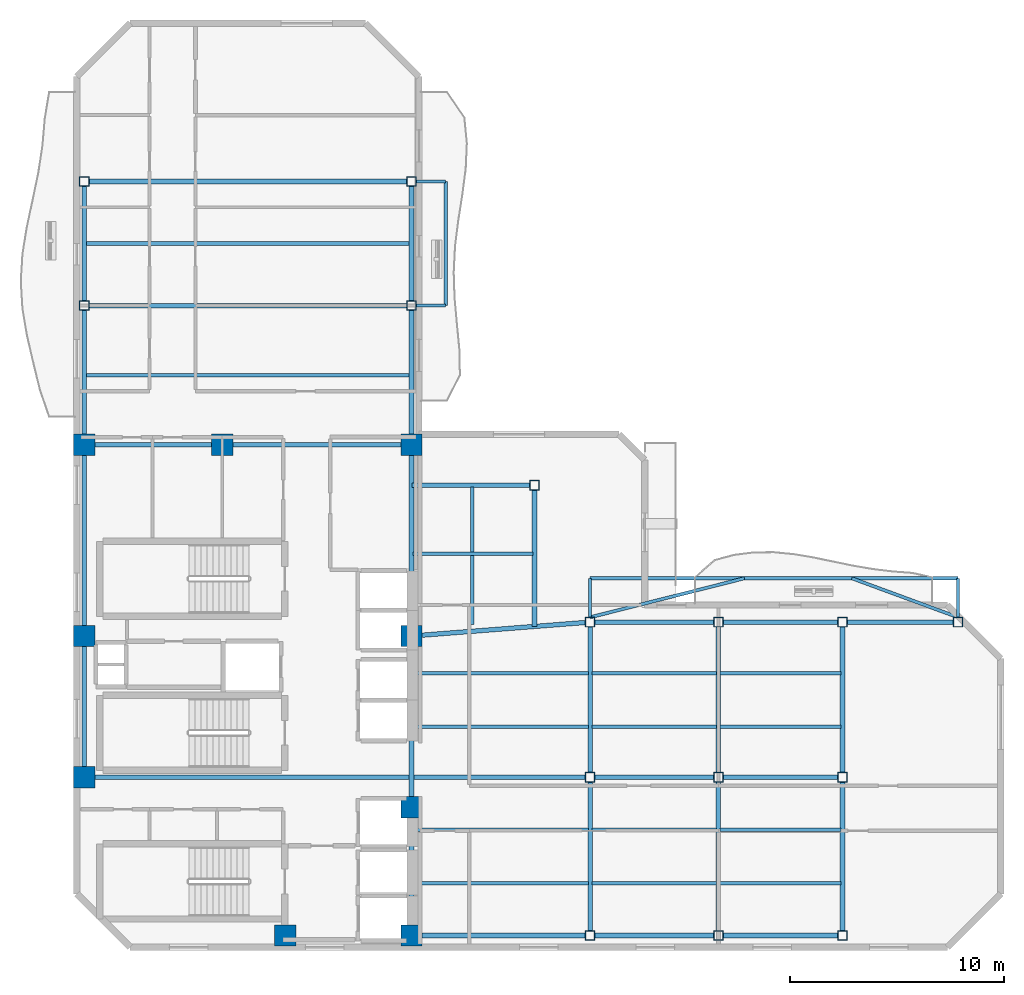
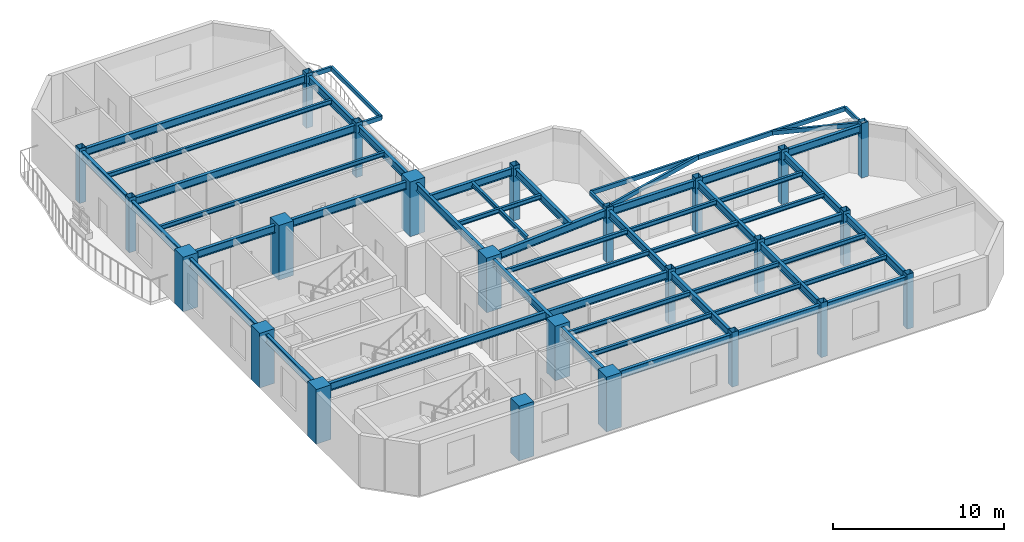
# One storey, part 1 of 8: 55 beams, 24 columns.
"""IFC4 building model written with IfcOpenShell, lengths in metres."""

from ifc_helpers import new_model, si_unit, direction, frame, origin, origin_2d, place, context, subcontext, project, spatial, rectangle, hollow_rectangle, i_section, extrude, material, material_profile, profile_set, type_object, element, save


model = new_model("IFC4")

# Units and contexts
model_context = context("Model", 3, precision=1e-05, world=origin(), true_north=direction((0.0, 1.0)))
body_context = subcontext(model_context, "Body", "Model", "MODEL_VIEW")
ifc_project = project(units=[si_unit("LENGTHUNIT", "METRE"), si_unit("AREAUNIT", "SQUARE_METRE"), si_unit("VOLUMEUNIT", "CUBIC_METRE"), si_unit("PLANEANGLEUNIT", "RADIAN"), si_unit("MASSUNIT", "GRAM", prefix="KILO")], contexts=[model_context])

# Site, building, storey
site_placement = place(None, origin())
site = spatial("IfcSite", under=ifc_project, at=site_placement, CompositionType="ELEMENT")
building_placement = place(site_placement, origin())
building = spatial("IfcBuilding", under=site, at=building_placement, Name="Mawjaban Terraces University", CompositionType="ELEMENT")
storey_placement = place(building_placement, frame((0.0, 0.0, 187.5)))
storey = spatial("IfcBuildingStorey", under=building, at=storey_placement, Name="L45", CompositionType="ELEMENT", Elevation=187.5)

# Columns
ifc_material_1 = material(Name="Concrete C60/75", Category="concrete")
ifc_material_profile_1 = material_profile(ifc_material_1, rectangle(XDim=1.0, YDim=1.0, at=origin_2d()), Name="RC1000X1000")
ifc_profile_set_1 = profile_set([ifc_material_profile_1], Name="Concrete C60/75")
column_type_1 = type_object("IfcColumnType", Name="Col_RC1000X1000", PredefinedType="COLUMN", material=ifc_profile_set_1)
for number, where, z_axis, x_axis, name in (
    (1, (31.75, 0.550048828125, 0.0), (0.0, 0.0, 1.0), (1.0, 0.0, 0.0), "L45 Column CC2"),
    (2, (37.64990234375, 0.550048828125, 0.0), (0.0, 0.0, 1.0), (1.0, 0.0, 0.0), "L45 Column CC3"),
    (3, (22.35009765625, 7.949951171875, 0.0), (0.0, 0.0, 1.0), (1.0, 0.0, 0.0), "L45 Column CC4"),
    (4, (37.64990234375, 6.550048828125, 0.0), (0.0, 0.0, 1.0), (1.0, 0.0, 0.0), "L45 Column CC5"),
    (5, (22.35009765625, 14.550048828125, 0.0), (0.0, 0.0, 1.0), (1.0, 0.0, 0.0), "L45 Column CC6"),
    (6, (37.64990234375, 14.550048828125, 0.0), (0.0, 0.0, 1.0), (1.0, 0.0, 0.0), "L45 Column CC7"),
    (7, (22.35009765625, 23.5, 0.0), (0.0, 0.0, 1.0), (1.0, 0.0, 0.0), "L45 Column CC8"),
    (8, (28.800048828125, 23.5, 0.0), (0.0, 0.0, 1.0), (1.0, 0.0, 0.0), "L45 Column CC9"),
    (9, (37.64990234375, 23.5, 0.0), (0.0, 0.0, 1.0), (1.0, 0.0, 0.0), "L45 Column CC10"),
):
    element("IfcColumn", number, at=place(storey_placement, frame(where, z_axis=z_axis, x_axis=x_axis)), inside=storey, type_object=column_type_1, Name=name, PredefinedType="COLUMN", context=body_context, shape_type="SweptSolid", body=[
        extrude(rectangle(XDim=1.0, YDim=1.0, at=origin_2d()), origin(), (0.0, 0.0, 1.0), 3.89990234375),
    ])
ifc_material_2 = material(Name="Steel EN 10210-1 S355J2H", Category="steel")
ifc_material_profile_2 = material_profile(ifc_material_2, hollow_rectangle(XDim=0.449951171875, YDim=0.449951171875, WallThickness=0.02001953125, at=origin_2d()), Name="SHS450X450X20")
ifc_profile_set_2 = profile_set([ifc_material_profile_2], Name="Steel EN 10210-1 S355J2H")
column_type_2 = type_object("IfcColumnType", Name="Col_SHS450X450X20", PredefinedType="COLUMN", material=ifc_profile_set_2)
for number, where, z_axis, x_axis, name in (
    (10, (46.0, 0.550048828125, 0.0), (0.0, 0.0, 1.0), (1.0, 0.0, 0.0), "L45 Column TE-460-005"),
    (11, (46.0, 7.949951171875, 0.0), (0.0, 0.0, 1.0), (1.0, 0.0, 0.0), "L45 Column TE-460-080"),
    (12, (46.0, 15.199951171875, 0.0), (0.0, 0.0, 1.0), (1.0, 0.0, 0.0), "L45 Column TE-460-152"),
    (13, (52.0, 0.550048828125, 0.0), (0.0, 0.0, 1.0), (1.0, 0.0, 0.0), "L45 Column TE-520-005"),
    (14, (52.0, 7.949951171875, 0.0), (0.0, 0.0, 1.0), (1.0, 0.0, 0.0), "L45 Column TE-520-080"),
    (15, (52.0, 15.199951171875, 0.0), (0.0, 0.0, 1.0), (1.0, 0.0, 0.0), "L45 Column TE-520-152"),
    (16, (57.800048828125, 0.550048828125, 0.0), (0.0, 0.0, 1.0), (1.0, 0.0, 0.0), "L45 Column TE-578-005"),
    (17, (57.800048828125, 7.949951171875, 0.0), (0.0, 0.0, 1.0), (1.0, 0.0, 0.0), "L45 Column TE-578-080"),
    (18, (57.800048828125, 15.199951171875, 0.0), (0.0, 0.0, 1.0), (1.0, 0.0, 0.0), "L45 Column TE-578-152"),
    (19, (63.199951171875, 15.199951171875, 0.0), (0.0, 0.0, 1.0), (1.0, 0.0, 0.0), "L45 Column TE-632-152"),
    (20, (22.35009765625, 30.0, 0.0), (0.0, 0.0, 1.0), (1.0, 0.0, 0.0), "L45 Column TN-223-300"),
    (21, (37.64990234375, 30.0, 0.0), (0.0, 0.0, 1.0), (1.0, 0.0, 0.0), "L45 Column TN-376-300"),
    (22, (22.35009765625, 35.800048828125, 0.0), (0.0, 0.0, 1.0), (1.0, 0.0, 0.0), "L45 Column TN-223-358"),
    (23, (37.64990234375, 35.800048828125, 0.0), (0.0, 0.0, 1.0), (1.0, 0.0, 0.0), "L45 Column TN-376-358"),
    (24, (43.39990234375, 21.60009765625, 0.0), (0.0, 0.0, 1.0), (1.0, 0.0, 0.0), "L45 Column TS-434-216"),
):
    element("IfcColumn", number, at=place(storey_placement, frame(where, z_axis=z_axis, x_axis=x_axis)), inside=storey, type_object=column_type_2, Name=name, PredefinedType="COLUMN", context=body_context, shape_type="SweptSolid", body=[
        extrude(hollow_rectangle(XDim=0.449951171875, YDim=0.449951171875, WallThickness=0.02001953125, at=origin_2d()), origin(), (0.0, 0.0, 1.0), 3.89990234375),
    ])

# Beams
ifc_material_profile_3 = material_profile(ifc_material_2, hollow_rectangle(XDim=0.14990234375, YDim=0.300048828125, WallThickness=0.012451171875, at=origin_2d()), Name="RHS300X150X12.5")
ifc_profile_set_3 = profile_set([ifc_material_profile_3], Name="Steel EN 10210-1 S355J2H")
beam_type_1 = type_object("IfcBeamType", Name="BalconyCantileverSpandrel_RHS", PredefinedType="SPANDREL", material=ifc_profile_set_3)
for number, where, z_axis, x_axis, name in (
    (25, (46.0, 15.425048828125, 3.5400390625), (0.0, 1.0, 0.0), (-1.0, 0.0, 0.0), "L45 Exterior Outrigger BAL-L46-N.1"),
    (26, (63.199951171875, 15.425048828125, 3.5400390625), (0.0, 1.0, 0.0), (-1.0, 0.0, 0.0), "L45 Exterior Outrigger BAL-L46-N.2"),
):
    element("IfcBeam", number, at=place(storey_placement, frame(where, z_axis=z_axis, x_axis=x_axis)), inside=storey, type_object=beam_type_1, Name=name, PredefinedType="SPANDREL", context=body_context, shape_type="SweptSolid", body=[
        extrude(hollow_rectangle(XDim=0.14990234375, YDim=0.300048828125, WallThickness=0.012451171875, at=origin_2d()), origin(), (0.0, 0.0, 1.0), 1.824951171875),
    ])
beam_1_placement = place(storey_placement, frame((46.0, 17.25, 3.5400390625), z_axis=(1.0, 0.0, 0.0), x_axis=(0.0, 1.0, 0.0)))
element("IfcBeam", 27, at=beam_1_placement, inside=storey, type_object=beam_type_1, Name="L45 Exterior Edge Spandrel BAL-L46-N", PredefinedType="SPANDREL", context=body_context, shape_type="SweptSolid", body=[
    extrude(hollow_rectangle(XDim=0.14990234375, YDim=0.300048828125, WallThickness=0.012451171875, at=origin_2d()), origin(), (0.0, 0.0, 1.0), 17.199951171875),
])
beam_2_placement = place(storey_placement, frame((46.0, 15.425048828125, 3.5400390625), z_axis=(0.969469206646, 0.245213085632, 0.0), x_axis=(-0.245213085632, 0.969469206646, 0.0)))
element("IfcBeam", 28, at=beam_2_placement, inside=storey, type_object=beam_type_1, Name="L45 Exterior Diagonal Strut BAL-L46-N.1", PredefinedType="SPANDREL", context=body_context, shape_type="SweptSolid", body=[
    extrude(hollow_rectangle(XDim=0.14990234375, YDim=0.300048828125, WallThickness=0.012451171875, at=origin_2d()), origin(), (0.0, 0.0, 1.0), 7.4423828125),
])
beam_3_placement = place(storey_placement, frame((63.199951171875, 15.425048828125, 3.5400390625), z_axis=(-0.938600534074, 0.345005851308, 0.0), x_axis=(-0.345005851308, -0.938600534074, 0.0)))
element("IfcBeam", 29, at=beam_3_placement, inside=storey, type_object=beam_type_1, Name="L45 Exterior Diagonal Strut BAL-L46-N.2", PredefinedType="SPANDREL", context=body_context, shape_type="SweptSolid", body=[
    extrude(hollow_rectangle(XDim=0.14990234375, YDim=0.300048828125, WallThickness=0.012451171875, at=origin_2d()), origin(), (0.0, 0.0, 1.0), 5.28955078125),
])
for number, where, z_axis, x_axis, name in (
    (30, (37.875, 30.0, 3.5400390625), (1.0, 0.0, 0.0), (0.0, 1.0, 0.0), "L45 Exterior Outrigger BAL-L46-E.1"),
    (31, (37.875, 35.800048828125, 3.5400390625), (1.0, 0.0, 0.0), (0.0, 1.0, 0.0), "L45 Exterior Outrigger BAL-L46-E.2"),
):
    element("IfcBeam", number, at=place(storey_placement, frame(where, z_axis=z_axis, x_axis=x_axis)), inside=storey, type_object=beam_type_1, Name=name, PredefinedType="SPANDREL", context=body_context, shape_type="SweptSolid", body=[
        extrude(hollow_rectangle(XDim=0.14990234375, YDim=0.300048828125, WallThickness=0.012451171875, at=origin_2d()), origin(), (0.0, 0.0, 1.0), 1.375),
    ])
beam_4_placement = place(storey_placement, frame((39.25, 30.0, 3.5400390625), z_axis=(0.0, 1.0, 0.0), x_axis=(-1.0, 0.0, 0.0)))
element("IfcBeam", 32, at=beam_4_placement, inside=storey, type_object=beam_type_1, Name="L45 Exterior Edge Spandrel BAL-L46-E", PredefinedType="SPANDREL", context=body_context, shape_type="SweptSolid", body=[
    extrude(hollow_rectangle(XDim=0.14990234375, YDim=0.300048828125, WallThickness=0.012451171875, at=origin_2d()), origin(), (0.0, 0.0, 1.0), 5.800048828125),
])
ifc_material_3 = material(Name="Steel ASTM A572 Grade 50", Category="steel")
ifc_material_profile_4 = material_profile(ifc_material_3, i_section(OverallWidth=0.2119140625, OverallDepth=0.5439453125, WebThickness=0.01318359375, FlangeThickness=0.021240234375, at=origin_2d()), Name="W530X123")
ifc_profile_set_4 = profile_set([ifc_material_profile_4], Name="Steel ASTM A572 Grade 50")
beam_type_2 = type_object("IfcBeamType", Name="Beam_B_W530X123", PredefinedType="BEAM", material=ifc_profile_set_4)
beam_5_placement = place(storey_placement, frame((38.14990234375, 0.550048828125, 3.41796875), z_axis=(1.0, 0.0, 0.0), x_axis=(0.0, 1.0, 0.0)))
element("IfcBeam", 33, at=beam_5_placement, inside=storey, type_object=beam_type_2, Name="L45 Beam BM-L45-EW-01", PredefinedType="BEAM", context=body_context, shape_type="SweptSolid", body=[
    extrude(i_section(OverallWidth=0.2119140625, OverallDepth=0.5439453125, WebThickness=0.01318359375, FlangeThickness=0.021240234375, at=origin_2d()), origin(), (0.0, 0.0, 1.0), 7.625),
])
beam_6_placement = place(storey_placement, frame((46.22509765625, 0.550048828125, 3.41796875), z_axis=(1.0, 0.0, 0.0), x_axis=(0.0, 1.0, 0.0)))
element("IfcBeam", 34, at=beam_6_placement, inside=storey, type_object=beam_type_2, Name="L45 Beam BM-L45-EW-02", PredefinedType="BEAM", context=body_context, shape_type="SweptSolid", body=[
    extrude(i_section(OverallWidth=0.2119140625, OverallDepth=0.5439453125, WebThickness=0.01318359375, FlangeThickness=0.021240234375, at=origin_2d()), origin(), (0.0, 0.0, 1.0), 5.5498046875),
])
beam_7_placement = place(storey_placement, frame((52.22509765625, 0.550048828125, 3.41796875), z_axis=(1.0, 0.0, 0.0), x_axis=(0.0, 1.0, 0.0)))
element("IfcBeam", 35, at=beam_7_placement, inside=storey, type_object=beam_type_2, Name="L45 Beam BM-L45-EW-03", PredefinedType="BEAM", context=body_context, shape_type="SweptSolid", body=[
    extrude(i_section(OverallWidth=0.2119140625, OverallDepth=0.5439453125, WebThickness=0.01318359375, FlangeThickness=0.021240234375, at=origin_2d()), origin(), (0.0, 0.0, 1.0), 5.349853515625),
])
beam_8_placement = place(storey_placement, frame((22.85009765625, 7.949951171875, 3.41796875), z_axis=(1.0, 0.0, 0.0), x_axis=(0.0, 1.0, 0.0)))
element("IfcBeam", 36, at=beam_8_placement, inside=storey, type_object=beam_type_2, Name="L45 Beam BM-L45-EW-04", PredefinedType="BEAM", context=body_context, shape_type="SweptSolid", body=[
    extrude(i_section(OverallWidth=0.2119140625, OverallDepth=0.5439453125, WebThickness=0.01318359375, FlangeThickness=0.021240234375, at=origin_2d()), origin(), (0.0, 0.0, 1.0), 22.9248046875),
])
beam_9_placement = place(storey_placement, frame((46.22509765625, 7.949951171875, 3.41796875), z_axis=(1.0, 0.0, 0.0), x_axis=(0.0, 1.0, 0.0)))
element("IfcBeam", 37, at=beam_9_placement, inside=storey, type_object=beam_type_2, Name="L45 Beam BM-L45-EW-05", PredefinedType="BEAM", context=body_context, shape_type="SweptSolid", body=[
    extrude(i_section(OverallWidth=0.2119140625, OverallDepth=0.5439453125, WebThickness=0.01318359375, FlangeThickness=0.021240234375, at=origin_2d()), origin(), (0.0, 0.0, 1.0), 5.5498046875),
])
beam_10_placement = place(storey_placement, frame((52.22509765625, 7.949951171875, 3.41796875), z_axis=(1.0, 0.0, 0.0), x_axis=(0.0, 1.0, 0.0)))
element("IfcBeam", 38, at=beam_10_placement, inside=storey, type_object=beam_type_2, Name="L45 Beam BM-L45-EW-06", PredefinedType="BEAM", context=body_context, shape_type="SweptSolid", body=[
    extrude(i_section(OverallWidth=0.2119140625, OverallDepth=0.5439453125, WebThickness=0.01318359375, FlangeThickness=0.021240234375, at=origin_2d()), origin(), (0.0, 0.0, 1.0), 5.349853515625),
])
beam_11_placement = place(storey_placement, frame((46.22509765625, 15.199951171875, 3.41796875), z_axis=(1.0, 0.0, 0.0), x_axis=(0.0, 1.0, 0.0)))
element("IfcBeam", 39, at=beam_11_placement, inside=storey, type_object=beam_type_2, Name="L45 Beam BM-L45-EW-07", PredefinedType="BEAM", context=body_context, shape_type="SweptSolid", body=[
    extrude(i_section(OverallWidth=0.2119140625, OverallDepth=0.5439453125, WebThickness=0.01318359375, FlangeThickness=0.021240234375, at=origin_2d()), origin(), (0.0, 0.0, 1.0), 5.5498046875),
])
beam_12_placement = place(storey_placement, frame((52.22509765625, 15.199951171875, 3.41796875), z_axis=(1.0, 0.0, 0.0), x_axis=(0.0, 1.0, 0.0)))
element("IfcBeam", 40, at=beam_12_placement, inside=storey, type_object=beam_type_2, Name="L45 Beam BM-L45-EW-08", PredefinedType="BEAM", context=body_context, shape_type="SweptSolid", body=[
    extrude(i_section(OverallWidth=0.2119140625, OverallDepth=0.5439453125, WebThickness=0.01318359375, FlangeThickness=0.021240234375, at=origin_2d()), origin(), (0.0, 0.0, 1.0), 5.349853515625),
])
beam_13_placement = place(storey_placement, frame((58.02490234375, 15.199951171875, 3.41796875), z_axis=(1.0, 0.0, 0.0), x_axis=(0.0, 1.0, 0.0)))
element("IfcBeam", 41, at=beam_13_placement, inside=storey, type_object=beam_type_2, Name="L45 Beam BM-L45-EW-09", PredefinedType="BEAM", context=body_context, shape_type="SweptSolid", body=[
    extrude(i_section(OverallWidth=0.2119140625, OverallDepth=0.5439453125, WebThickness=0.01318359375, FlangeThickness=0.021240234375, at=origin_2d()), origin(), (0.0, 0.0, 1.0), 4.9501953125),
])
beam_14_placement = place(storey_placement, frame((22.85009765625, 23.5, 3.41796875), z_axis=(1.0, 0.0, 0.0), x_axis=(0.0, 1.0, 0.0)))
element("IfcBeam", 42, at=beam_14_placement, inside=storey, type_object=beam_type_2, Name="L45 Beam BM-L45-EW-10", PredefinedType="BEAM", context=body_context, shape_type="SweptSolid", body=[
    extrude(i_section(OverallWidth=0.2119140625, OverallDepth=0.5439453125, WebThickness=0.01318359375, FlangeThickness=0.021240234375, at=origin_2d()), origin(), (0.0, 0.0, 1.0), 5.449951171875),
])
beam_15_placement = place(storey_placement, frame((29.300048828125, 23.5, 3.41796875), z_axis=(1.0, 0.0, 0.0), x_axis=(0.0, 1.0, 0.0)))
element("IfcBeam", 43, at=beam_15_placement, inside=storey, type_object=beam_type_2, Name="L45 Beam BM-L45-EW-11", PredefinedType="BEAM", context=body_context, shape_type="SweptSolid", body=[
    extrude(i_section(OverallWidth=0.2119140625, OverallDepth=0.5439453125, WebThickness=0.01318359375, FlangeThickness=0.021240234375, at=origin_2d()), origin(), (0.0, 0.0, 1.0), 7.849853515625),
])
for number, where, z_axis, x_axis, name in (
    (44, (22.574951171875, 30.0, 3.41796875), (1.0, 0.0, 0.0), (0.0, 1.0, 0.0), "L45 Beam BM-L45-EW-12"),
    (45, (22.574951171875, 35.800048828125, 3.41796875), (1.0, 0.0, 0.0), (0.0, 1.0, 0.0), "L45 Beam BM-L45-EW-13"),
):
    element("IfcBeam", number, at=place(storey_placement, frame(where, z_axis=z_axis, x_axis=x_axis)), inside=storey, type_object=beam_type_2, Name=name, PredefinedType="BEAM", context=body_context, shape_type="SweptSolid", body=[
        extrude(i_section(OverallWidth=0.2119140625, OverallDepth=0.5439453125, WebThickness=0.01318359375, FlangeThickness=0.021240234375, at=origin_2d()), origin(), (0.0, 0.0, 1.0), 14.85009765625),
    ])
beam_16_placement = place(storey_placement, frame((22.35009765625, 8.449951171875, 3.41796875), z_axis=(0.0, 1.0, 0.0), x_axis=(-1.0, 0.0, 0.0)))
element("IfcBeam", 46, at=beam_16_placement, inside=storey, type_object=beam_type_2, Name="L45 Beam BM-L45-NS-01", PredefinedType="BEAM", context=body_context, shape_type="SweptSolid", body=[
    extrude(i_section(OverallWidth=0.2119140625, OverallDepth=0.5439453125, WebThickness=0.01318359375, FlangeThickness=0.021240234375, at=origin_2d()), origin(), (0.0, 0.0, 1.0), 5.60009765625),
])
beam_17_placement = place(storey_placement, frame((22.35009765625, 15.050048828125, 3.41796875), z_axis=(0.0, 1.0, 0.0), x_axis=(-1.0, 0.0, 0.0)))
element("IfcBeam", 47, at=beam_17_placement, inside=storey, type_object=beam_type_2, Name="L45 Beam BM-L45-NS-02", PredefinedType="BEAM", context=body_context, shape_type="SweptSolid", body=[
    extrude(i_section(OverallWidth=0.2119140625, OverallDepth=0.5439453125, WebThickness=0.01318359375, FlangeThickness=0.021240234375, at=origin_2d()), origin(), (0.0, 0.0, 1.0), 7.949951171875),
])
beam_18_placement = place(storey_placement, frame((22.35009765625, 24.0, 3.41796875), z_axis=(0.0, 1.0, 0.0), x_axis=(-1.0, 0.0, 0.0)))
element("IfcBeam", 48, at=beam_18_placement, inside=storey, type_object=beam_type_2, Name="L45 Beam BM-L45-NS-03", PredefinedType="BEAM", context=body_context, shape_type="SweptSolid", body=[
    extrude(i_section(OverallWidth=0.2119140625, OverallDepth=0.5439453125, WebThickness=0.01318359375, FlangeThickness=0.021240234375, at=origin_2d()), origin(), (0.0, 0.0, 1.0), 5.77490234375),
])
beam_19_placement = place(storey_placement, frame((22.35009765625, 30.22509765625, 3.41796875), z_axis=(0.0, 1.0, 0.0), x_axis=(-1.0, 0.0, 0.0)))
element("IfcBeam", 49, at=beam_19_placement, inside=storey, type_object=beam_type_2, Name="L45 Beam BM-L45-NS-04", PredefinedType="BEAM", context=body_context, shape_type="SweptSolid", body=[
    extrude(i_section(OverallWidth=0.2119140625, OverallDepth=0.5439453125, WebThickness=0.01318359375, FlangeThickness=0.021240234375, at=origin_2d()), origin(), (0.0, 0.0, 1.0), 5.349853515625),
])
beam_20_placement = place(storey_placement, frame((37.64990234375, 1.050048828125, 3.41796875), z_axis=(0.0, 1.0, 0.0), x_axis=(-1.0, 0.0, 0.0)))
element("IfcBeam", 50, at=beam_20_placement, inside=storey, type_object=beam_type_2, Name="L45 Beam BM-L45-NS-05", PredefinedType="BEAM", context=body_context, shape_type="SweptSolid", body=[
    extrude(i_section(OverallWidth=0.2119140625, OverallDepth=0.5439453125, WebThickness=0.01318359375, FlangeThickness=0.021240234375, at=origin_2d()), origin(), (0.0, 0.0, 1.0), 5.0),
])
beam_21_placement = place(storey_placement, frame((37.64990234375, 7.050048828125, 3.41796875), z_axis=(0.0, 1.0, 0.0), x_axis=(-1.0, 0.0, 0.0)))
element("IfcBeam", 51, at=beam_21_placement, inside=storey, type_object=beam_type_2, Name="L45 Beam BM-L45-NS-06", PredefinedType="BEAM", context=body_context, shape_type="SweptSolid", body=[
    extrude(i_section(OverallWidth=0.2119140625, OverallDepth=0.5439453125, WebThickness=0.01318359375, FlangeThickness=0.021240234375, at=origin_2d()), origin(), (0.0, 0.0, 1.0), 7.0),
])
beam_22_placement = place(storey_placement, frame((37.64990234375, 15.050048828125, 3.41796875), z_axis=(0.0, 1.0, 0.0), x_axis=(-1.0, 0.0, 0.0)))
element("IfcBeam", 52, at=beam_22_placement, inside=storey, type_object=beam_type_2, Name="L45 Beam BM-L45-NS-07", PredefinedType="BEAM", context=body_context, shape_type="SweptSolid", body=[
    extrude(i_section(OverallWidth=0.2119140625, OverallDepth=0.5439453125, WebThickness=0.01318359375, FlangeThickness=0.021240234375, at=origin_2d()), origin(), (0.0, 0.0, 1.0), 7.949951171875),
])
beam_23_placement = place(storey_placement, frame((37.64990234375, 24.0, 3.41796875), z_axis=(0.0, 1.0, 0.0), x_axis=(-1.0, 0.0, 0.0)))
element("IfcBeam", 53, at=beam_23_placement, inside=storey, type_object=beam_type_2, Name="L45 Beam BM-L45-NS-08", PredefinedType="BEAM", context=body_context, shape_type="SweptSolid", body=[
    extrude(i_section(OverallWidth=0.2119140625, OverallDepth=0.5439453125, WebThickness=0.01318359375, FlangeThickness=0.021240234375, at=origin_2d()), origin(), (0.0, 0.0, 1.0), 5.77490234375),
])
beam_24_placement = place(storey_placement, frame((37.64990234375, 30.22509765625, 3.41796875), z_axis=(0.0, 1.0, 0.0), x_axis=(-1.0, 0.0, 0.0)))
element("IfcBeam", 54, at=beam_24_placement, inside=storey, type_object=beam_type_2, Name="L45 Beam BM-L45-NS-09", PredefinedType="BEAM", context=body_context, shape_type="SweptSolid", body=[
    extrude(i_section(OverallWidth=0.2119140625, OverallDepth=0.5439453125, WebThickness=0.01318359375, FlangeThickness=0.021240234375, at=origin_2d()), origin(), (0.0, 0.0, 1.0), 5.349853515625),
])
beam_25_placement = place(storey_placement, frame((46.0, 0.77490234375, 3.41796875), z_axis=(0.0, 1.0, 0.0), x_axis=(-1.0, 0.0, 0.0)))
element("IfcBeam", 55, at=beam_25_placement, inside=storey, type_object=beam_type_2, Name="L45 Beam BM-L45-NS-10", PredefinedType="BEAM", context=body_context, shape_type="SweptSolid", body=[
    extrude(i_section(OverallWidth=0.2119140625, OverallDepth=0.5439453125, WebThickness=0.01318359375, FlangeThickness=0.021240234375, at=origin_2d()), origin(), (0.0, 0.0, 1.0), 6.9501953125),
])
beam_26_placement = place(storey_placement, frame((46.0, 8.175048828125, 3.41796875), z_axis=(0.0, 1.0, 0.0), x_axis=(-1.0, 0.0, 0.0)))
element("IfcBeam", 56, at=beam_26_placement, inside=storey, type_object=beam_type_2, Name="L45 Beam BM-L45-NS-11", PredefinedType="BEAM", context=body_context, shape_type="SweptSolid", body=[
    extrude(i_section(OverallWidth=0.2119140625, OverallDepth=0.5439453125, WebThickness=0.01318359375, FlangeThickness=0.021240234375, at=origin_2d()), origin(), (0.0, 0.0, 1.0), 6.800048828125),
])
beam_27_placement = place(storey_placement, frame((52.0, 0.77490234375, 3.41796875), z_axis=(0.0, 1.0, 0.0), x_axis=(-1.0, 0.0, 0.0)))
element("IfcBeam", 57, at=beam_27_placement, inside=storey, type_object=beam_type_2, Name="L45 Beam BM-L45-NS-12", PredefinedType="BEAM", context=body_context, shape_type="SweptSolid", body=[
    extrude(i_section(OverallWidth=0.2119140625, OverallDepth=0.5439453125, WebThickness=0.01318359375, FlangeThickness=0.021240234375, at=origin_2d()), origin(), (0.0, 0.0, 1.0), 6.9501953125),
])
beam_28_placement = place(storey_placement, frame((52.0, 8.175048828125, 3.41796875), z_axis=(0.0, 1.0, 0.0), x_axis=(-1.0, 0.0, 0.0)))
element("IfcBeam", 58, at=beam_28_placement, inside=storey, type_object=beam_type_2, Name="L45 Beam BM-L45-NS-13", PredefinedType="BEAM", context=body_context, shape_type="SweptSolid", body=[
    extrude(i_section(OverallWidth=0.2119140625, OverallDepth=0.5439453125, WebThickness=0.01318359375, FlangeThickness=0.021240234375, at=origin_2d()), origin(), (0.0, 0.0, 1.0), 6.800048828125),
])
beam_29_placement = place(storey_placement, frame((57.800048828125, 0.77490234375, 3.41796875), z_axis=(0.0, 1.0, 0.0), x_axis=(-1.0, 0.0, 0.0)))
element("IfcBeam", 59, at=beam_29_placement, inside=storey, type_object=beam_type_2, Name="L45 Beam BM-L45-NS-14", PredefinedType="BEAM", context=body_context, shape_type="SweptSolid", body=[
    extrude(i_section(OverallWidth=0.2119140625, OverallDepth=0.5439453125, WebThickness=0.01318359375, FlangeThickness=0.021240234375, at=origin_2d()), origin(), (0.0, 0.0, 1.0), 6.9501953125),
])
beam_30_placement = place(storey_placement, frame((57.800048828125, 8.175048828125, 3.41796875), z_axis=(0.0, 1.0, 0.0), x_axis=(-1.0, 0.0, 0.0)))
element("IfcBeam", 60, at=beam_30_placement, inside=storey, type_object=beam_type_2, Name="L45 Beam BM-L45-NS-15", PredefinedType="BEAM", context=body_context, shape_type="SweptSolid", body=[
    extrude(i_section(OverallWidth=0.2119140625, OverallDepth=0.5439453125, WebThickness=0.01318359375, FlangeThickness=0.021240234375, at=origin_2d()), origin(), (0.0, 0.0, 1.0), 6.800048828125),
])
beam_31_placement = place(storey_placement, frame((38.14794921875, 14.589111328125, 3.41796875), z_axis=(0.99698177718, 0.077635919341, 0.0), x_axis=(-0.077635919341, 0.99698177718, 0.0)))
element("IfcBeam", 61, at=beam_31_placement, inside=storey, type_object=beam_type_2, Name="L45 Beam BM-L45-CTIE", PredefinedType="BEAM", context=body_context, shape_type="SweptSolid", body=[
    extrude(i_section(OverallWidth=0.2119140625, OverallDepth=0.5439453125, WebThickness=0.01318359375, FlangeThickness=0.021240234375, at=origin_2d()), origin(), (0.0, 0.0, 1.0), 7.651123046875),
])
beam_32_placement = place(storey_placement, frame((37.679931640625, 21.60009765625, 3.41796875), z_axis=(1.0, 0.0, 0.0), x_axis=(0.0, 1.0, 0.0)))
element("IfcBeam", 62, at=beam_32_placement, inside=storey, type_object=beam_type_2, Name="L45 Spur Tie Girder West", PredefinedType="BEAM", context=body_context, shape_type="SweptSolid", body=[
    extrude(i_section(OverallWidth=0.2119140625, OverallDepth=0.5439453125, WebThickness=0.01318359375, FlangeThickness=0.021240234375, at=origin_2d()), origin(), (0.0, 0.0, 1.0), 5.4951171875),
])
beam_33_placement = place(storey_placement, frame((43.39990234375, 15.0, 3.41796875), z_axis=(0.0, 1.0, 0.0), x_axis=(-1.0, 0.0, 0.0)))
element("IfcBeam", 63, at=beam_33_placement, inside=storey, type_object=beam_type_2, Name="L45 Spur Tie Girder South", PredefinedType="BEAM", context=body_context, shape_type="SweptSolid", body=[
    extrude(i_section(OverallWidth=0.2119140625, OverallDepth=0.5439453125, WebThickness=0.01318359375, FlangeThickness=0.021240234375, at=origin_2d()), origin(), (0.0, 0.0, 1.0), 6.375),
])
ifc_material_profile_5 = material_profile(ifc_material_3, i_section(OverallWidth=0.1669921875, OverallDepth=0.318115234375, WebThickness=0.007568359375, FlangeThickness=0.01318359375, at=origin_2d()), Name="W310X52")
ifc_profile_set_5 = profile_set([ifc_material_profile_5], Name="Steel ASTM A572 Grade 50")
beam_type_3 = type_object("IfcBeamType", Name="Beam_J_W310X52", PredefinedType="JOIST", material=ifc_profile_set_5)
beam_34_placement = place(storey_placement, frame((37.72998046875, 3.0, 3.531005859375), z_axis=(1.0, 0.0, 0.0), x_axis=(0.0, 1.0, 0.0)))
element("IfcBeam", 64, at=beam_34_placement, inside=storey, type_object=beam_type_3, Name="L45 Composite Joist JST-L45-01", PredefinedType="JOIST", context=body_context, shape_type="SweptSolid", body=[
    extrude(i_section(OverallWidth=0.1669921875, OverallDepth=0.318115234375, WebThickness=0.007568359375, FlangeThickness=0.01318359375, at=origin_2d()), origin(), (0.0, 0.0, 1.0), 8.18994140625),
])
beam_35_placement = place(storey_placement, frame((46.080078125, 3.0, 3.531005859375), z_axis=(1.0, 0.0, 0.0), x_axis=(0.0, 1.0, 0.0)))
element("IfcBeam", 65, at=beam_35_placement, inside=storey, type_object=beam_type_3, Name="L45 Composite Joist JST-L45-02", PredefinedType="JOIST", context=body_context, shape_type="SweptSolid", body=[
    extrude(i_section(OverallWidth=0.1669921875, OverallDepth=0.318115234375, WebThickness=0.007568359375, FlangeThickness=0.01318359375, at=origin_2d()), origin(), (0.0, 0.0, 1.0), 5.83984375),
])
beam_36_placement = place(storey_placement, frame((52.080078125, 3.0, 3.531005859375), z_axis=(1.0, 0.0, 0.0), x_axis=(0.0, 1.0, 0.0)))
element("IfcBeam", 66, at=beam_36_placement, inside=storey, type_object=beam_type_3, Name="L45 Composite Joist JST-L45-03", PredefinedType="JOIST", context=body_context, shape_type="SweptSolid", body=[
    extrude(i_section(OverallWidth=0.1669921875, OverallDepth=0.318115234375, WebThickness=0.007568359375, FlangeThickness=0.01318359375, at=origin_2d()), origin(), (0.0, 0.0, 1.0), 5.639892578125),
])
beam_37_placement = place(storey_placement, frame((37.72998046875, 5.5, 3.531005859375), z_axis=(1.0, 0.0, 0.0), x_axis=(0.0, 1.0, 0.0)))
element("IfcBeam", 67, at=beam_37_placement, inside=storey, type_object=beam_type_3, Name="L45 Composite Joist JST-L45-04", PredefinedType="JOIST", context=body_context, shape_type="SweptSolid", body=[
    extrude(i_section(OverallWidth=0.1669921875, OverallDepth=0.318115234375, WebThickness=0.007568359375, FlangeThickness=0.01318359375, at=origin_2d()), origin(), (0.0, 0.0, 1.0), 8.18994140625),
])
beam_38_placement = place(storey_placement, frame((46.080078125, 5.5, 3.531005859375), z_axis=(1.0, 0.0, 0.0), x_axis=(0.0, 1.0, 0.0)))
element("IfcBeam", 68, at=beam_38_placement, inside=storey, type_object=beam_type_3, Name="L45 Composite Joist JST-L45-05", PredefinedType="JOIST", context=body_context, shape_type="SweptSolid", body=[
    extrude(i_section(OverallWidth=0.1669921875, OverallDepth=0.318115234375, WebThickness=0.007568359375, FlangeThickness=0.01318359375, at=origin_2d()), origin(), (0.0, 0.0, 1.0), 5.83984375),
])
beam_39_placement = place(storey_placement, frame((52.080078125, 5.5, 3.531005859375), z_axis=(1.0, 0.0, 0.0), x_axis=(0.0, 1.0, 0.0)))
element("IfcBeam", 69, at=beam_39_placement, inside=storey, type_object=beam_type_3, Name="L45 Composite Joist JST-L45-06", PredefinedType="JOIST", context=body_context, shape_type="SweptSolid", body=[
    extrude(i_section(OverallWidth=0.1669921875, OverallDepth=0.318115234375, WebThickness=0.007568359375, FlangeThickness=0.01318359375, at=origin_2d()), origin(), (0.0, 0.0, 1.0), 5.639892578125),
])
beam_40_placement = place(storey_placement, frame((37.72998046875, 10.300048828125, 3.531005859375), z_axis=(1.0, 0.0, 0.0), x_axis=(0.0, 1.0, 0.0)))
element("IfcBeam", 70, at=beam_40_placement, inside=storey, type_object=beam_type_3, Name="L45 Composite Joist JST-L45-07", PredefinedType="JOIST", context=body_context, shape_type="SweptSolid", body=[
    extrude(i_section(OverallWidth=0.1669921875, OverallDepth=0.318115234375, WebThickness=0.007568359375, FlangeThickness=0.01318359375, at=origin_2d()), origin(), (0.0, 0.0, 1.0), 8.18994140625),
])
beam_41_placement = place(storey_placement, frame((46.080078125, 10.300048828125, 3.531005859375), z_axis=(1.0, 0.0, 0.0), x_axis=(0.0, 1.0, 0.0)))
element("IfcBeam", 71, at=beam_41_placement, inside=storey, type_object=beam_type_3, Name="L45 Composite Joist JST-L45-08", PredefinedType="JOIST", context=body_context, shape_type="SweptSolid", body=[
    extrude(i_section(OverallWidth=0.1669921875, OverallDepth=0.318115234375, WebThickness=0.007568359375, FlangeThickness=0.01318359375, at=origin_2d()), origin(), (0.0, 0.0, 1.0), 5.83984375),
])
beam_42_placement = place(storey_placement, frame((52.080078125, 10.300048828125, 3.531005859375), z_axis=(1.0, 0.0, 0.0), x_axis=(0.0, 1.0, 0.0)))
element("IfcBeam", 72, at=beam_42_placement, inside=storey, type_object=beam_type_3, Name="L45 Composite Joist JST-L45-09", PredefinedType="JOIST", context=body_context, shape_type="SweptSolid", body=[
    extrude(i_section(OverallWidth=0.1669921875, OverallDepth=0.318115234375, WebThickness=0.007568359375, FlangeThickness=0.01318359375, at=origin_2d()), origin(), (0.0, 0.0, 1.0), 5.639892578125),
])
beam_43_placement = place(storey_placement, frame((37.72998046875, 12.800048828125, 3.531005859375), z_axis=(1.0, 0.0, 0.0), x_axis=(0.0, 1.0, 0.0)))
element("IfcBeam", 73, at=beam_43_placement, inside=storey, type_object=beam_type_3, Name="L45 Composite Joist JST-L45-10", PredefinedType="JOIST", context=body_context, shape_type="SweptSolid", body=[
    extrude(i_section(OverallWidth=0.1669921875, OverallDepth=0.318115234375, WebThickness=0.007568359375, FlangeThickness=0.01318359375, at=origin_2d()), origin(), (0.0, 0.0, 1.0), 8.18994140625),
])
beam_44_placement = place(storey_placement, frame((46.080078125, 12.800048828125, 3.531005859375), z_axis=(1.0, 0.0, 0.0), x_axis=(0.0, 1.0, 0.0)))
element("IfcBeam", 74, at=beam_44_placement, inside=storey, type_object=beam_type_3, Name="L45 Composite Joist JST-L45-11", PredefinedType="JOIST", context=body_context, shape_type="SweptSolid", body=[
    extrude(i_section(OverallWidth=0.1669921875, OverallDepth=0.318115234375, WebThickness=0.007568359375, FlangeThickness=0.01318359375, at=origin_2d()), origin(), (0.0, 0.0, 1.0), 5.83984375),
])
beam_45_placement = place(storey_placement, frame((52.080078125, 12.800048828125, 3.531005859375), z_axis=(1.0, 0.0, 0.0), x_axis=(0.0, 1.0, 0.0)))
element("IfcBeam", 75, at=beam_45_placement, inside=storey, type_object=beam_type_3, Name="L45 Composite Joist JST-L45-12", PredefinedType="JOIST", context=body_context, shape_type="SweptSolid", body=[
    extrude(i_section(OverallWidth=0.1669921875, OverallDepth=0.318115234375, WebThickness=0.007568359375, FlangeThickness=0.01318359375, at=origin_2d()), origin(), (0.0, 0.0, 1.0), 5.639892578125),
])
beam_46_placement = place(storey_placement, frame((37.72998046875, 18.39990234375, 3.531005859375), z_axis=(1.0, 0.0, 0.0), x_axis=(0.0, 1.0, 0.0)))
element("IfcBeam", 76, at=beam_46_placement, inside=storey, type_object=beam_type_3, Name="L45 Composite Joist JST-L45-13", PredefinedType="JOIST", context=body_context, shape_type="SweptSolid", body=[
    extrude(i_section(OverallWidth=0.1669921875, OverallDepth=0.318115234375, WebThickness=0.007568359375, FlangeThickness=0.01318359375, at=origin_2d()), origin(), (0.0, 0.0, 1.0), 5.590087890625),
])
for number, where, z_axis, x_axis, name in (
    (77, (22.429931640625, 26.75, 3.531005859375), (1.0, 0.0, 0.0), (0.0, 1.0, 0.0), "L45 Composite Joist JST-L45-14"),
    (78, (22.429931640625, 32.89990234375, 3.531005859375), (1.0, 0.0, 0.0), (0.0, 1.0, 0.0), "L45 Composite Joist JST-L45-15"),
):
    element("IfcBeam", number, at=place(storey_placement, frame(where, z_axis=z_axis, x_axis=x_axis)), inside=storey, type_object=beam_type_3, Name=name, PredefinedType="JOIST", context=body_context, shape_type="SweptSolid", body=[
        extrude(i_section(OverallWidth=0.1669921875, OverallDepth=0.318115234375, WebThickness=0.007568359375, FlangeThickness=0.01318359375, at=origin_2d()), origin(), (0.0, 0.0, 1.0), 15.14013671875),
    ])
beam_47_placement = place(storey_placement, frame((40.5, 15.080078125, 3.531005859375), z_axis=(0.0, 1.0, 0.0), x_axis=(-1.0, 0.0, 0.0)))
element("IfcBeam", 79, at=beam_47_placement, inside=storey, type_object=beam_type_3, Name="L45 Composite Joist JST-L45-NS-16", PredefinedType="JOIST", context=body_context, shape_type="SweptSolid", body=[
    extrude(i_section(OverallWidth=0.1669921875, OverallDepth=0.318115234375, WebThickness=0.007568359375, FlangeThickness=0.01318359375, at=origin_2d()), origin(), (0.0, 0.0, 1.0), 6.43994140625),
])

save(model, "model.ifc")
